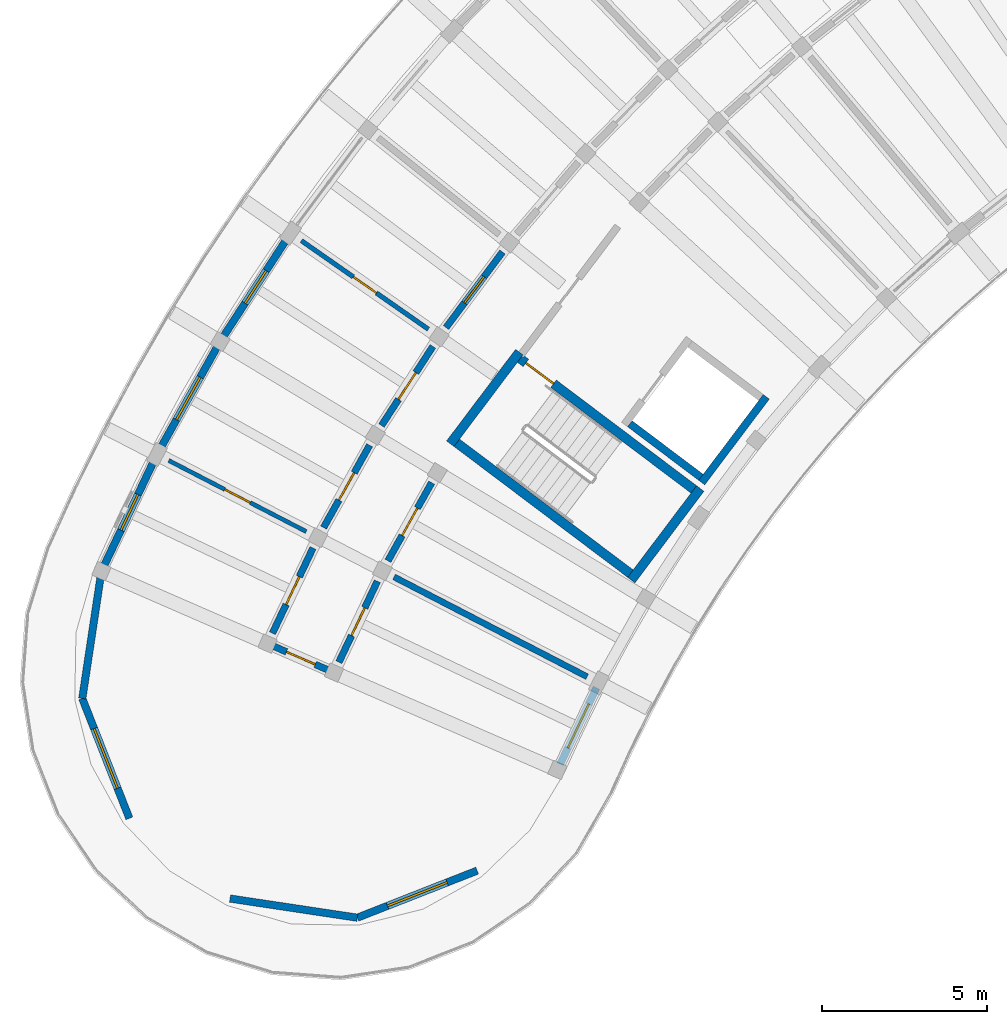
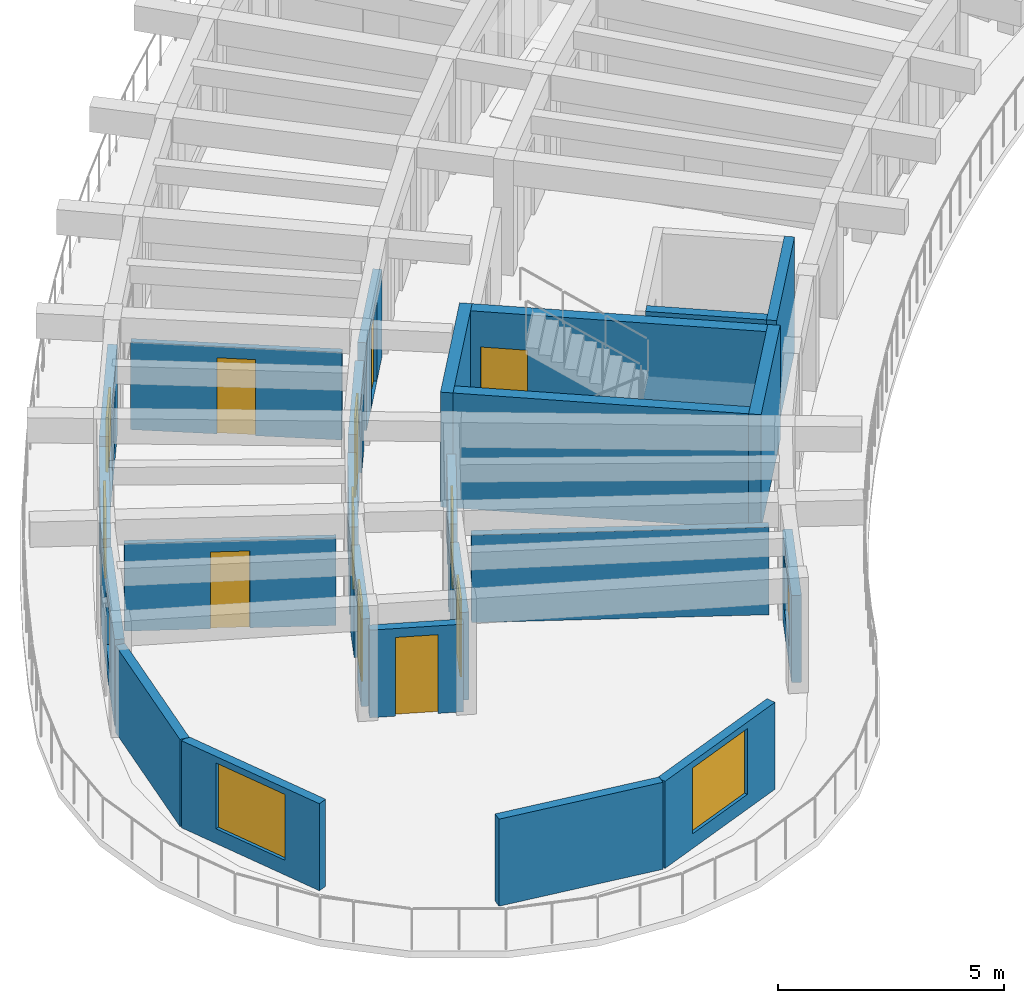
# One storey, part 18 of 32: 24 walls, 10 doors, 6 windows, 16 openings.
"""IFC4 building model written with IfcOpenShell, lengths in metres."""

from ifc_helpers import new_model, si_unit, direction, frame, frame_2d, origin, place, context, subcontext, project, spatial, rectangle, extrude, material, layer, layer_set, type_object, element, fill, save


model = new_model("IFC4")

# Units and contexts
model_context = context("Model", 3, precision=1e-05, world=origin(), true_north=direction((0.0, 1.0)))
body_context = subcontext(model_context, "Body", "Model", "MODEL_VIEW")
ifc_project = project(units=[si_unit("LENGTHUNIT", "METRE"), si_unit("AREAUNIT", "SQUARE_METRE"), si_unit("VOLUMEUNIT", "CUBIC_METRE"), si_unit("PLANEANGLEUNIT", "RADIAN"), si_unit("MASSUNIT", "GRAM", prefix="KILO")], contexts=[model_context])

# Site, building, storey
site_placement = place(None, origin())
site = spatial("IfcSite", under=ifc_project, at=site_placement, CompositionType="ELEMENT")
building_placement = place(site_placement, origin())
building = spatial("IfcBuilding", under=site, at=building_placement, Name="Tanwirah Colonnade Gardens", CompositionType="ELEMENT")
storey_placement = place(building_placement, frame((0.0, 0.0, 42.43994140625)))
storey = spatial("IfcBuildingStorey", under=building, at=storey_placement, Name="L12", CompositionType="ELEMENT", Elevation=42.43994140625)

# Wall, opening, window
ifc_material_1 = material(Name="Limestone architectural precast concrete C40/50", Category="masonry")
ifc_layer_1 = layer(ifc_material_1, 0.22509765625)
ifc_layer_set_1 = layer_set([ifc_layer_1], Name="Limestone architectural precast concrete C40/50")
wall_type_1 = type_object("IfcWallType", Name="EW-PC225", PredefinedType="SOLIDWALL", material=ifc_layer_set_1)
wall_1_placement = place(storey_placement, frame((16.0634765625, 94.12353515625, 0.0), z_axis=(0.0, 0.0, 1.0), x_axis=(-0.544610446702, -0.83868913272, 0.0)))
wall_1 = element("IfcWall", 1, at=wall_1_placement, inside=storey, type_object=wall_type_1, Name="Block A L12 OUT Precast Facade Wall 13", PredefinedType="SOLIDWALL", context=body_context, shape_type="SweptSolid", body=[
    extrude(rectangle(XDim=3.565673828125, YDim=0.22509765625, at=frame_2d((1.78271484375, 0.0))), origin(), (0.0, 0.0, 1.0), 2.35498046875),
])
opening_1_placement = place(wall_1_placement, frame((1.19287109375, 0.0, 0.550048828125)))
opening_1 = element("IfcOpeningElement", 2, at=opening_1_placement, cuts=wall_1, Name="Opening WIN-T16", PredefinedType="OPENING", context=body_context, shape_type="SweptSolid", body=[
    extrude(rectangle(XDim=1.179931640625, YDim=1.47998046875, at=frame_2d((0.58984375, 0.739990234375))), frame((0.0, 0.12255859375, 0.0), z_axis=(0.0, -1.0, 0.0), x_axis=(1.0, 0.0, 0.0)), (0.0, 0.0, 1.0), 0.2451171875),
])
ifc_material_2 = material(Name="Thermally broken bronze aluminium and solar low-E double glazing", Category="aluminium")
window_type_1 = type_object("IfcWindowType", Name="WIN-T16", PartitioningType="SINGLE_PANEL", PredefinedType="WINDOW", material=ifc_material_2)
window_1_placement = place(opening_1_placement, origin())
window_1 = element("IfcWindow", 3, at=window_1_placement, inside=storey, type_object=window_type_1, Name="Facade window A-L12-OUT-13", OverallHeight=1.47998046875, OverallWidth=1.179931640625, PartitioningType="SINGLE_PANEL", PredefinedType="WINDOW", context=body_context, shape_type="SweptSolid", body=[
    extrude(rectangle(XDim=1.179931640625, YDim=1.47998046875, at=frame_2d((0.58984375, 0.739990234375))), frame((0.0, 0.030029296875, 0.0), z_axis=(0.0, -1.0, 0.0), x_axis=(1.0, 0.0, 0.0)), (0.0, 0.0, 1.0), 0.06005859375),
])
fill(opening_1, window_1)

wall_2_placement = place(storey_placement, frame((13.920166015625, 90.79931640625, 0.0), z_axis=(0.0, 0.0, 1.0), x_axis=(-0.488221804534, -0.872719582442, 0.0)))
wall_2 = element("IfcWall", 4, at=wall_2_placement, inside=storey, type_object=wall_type_1, Name="Block A L12 OUT Precast Facade Wall 14", PredefinedType="SOLIDWALL", context=body_context, shape_type="SweptSolid", body=[
    extrude(rectangle(XDim=3.56591796875, YDim=0.22509765625, at=frame_2d((1.782958984375, 0.0))), origin(), (0.0, 0.0, 1.0), 2.35498046875),
])
opening_2_placement = place(wall_2_placement, frame((1.042724609375, 0.0, 0.550048828125)))
opening_2 = element("IfcOpeningElement", 5, at=opening_2_placement, cuts=wall_2, Name="Opening WIN-T19", PredefinedType="OPENING", context=body_context, shape_type="SweptSolid", body=[
    extrude(rectangle(XDim=1.47998046875, YDim=1.6201171875, at=frame_2d((0.739990234375, 0.81005859375))), frame((0.0, 0.12255859375, 0.0), z_axis=(0.0, -1.0, 0.0), x_axis=(1.0, 0.0, 0.0)), (0.0, 0.0, 1.0), 0.2451171875),
])
window_type_2 = type_object("IfcWindowType", Name="WIN-T19", PartitioningType="DOUBLE_PANEL_VERTICAL", PredefinedType="WINDOW", material=ifc_material_2)
window_2_placement = place(opening_2_placement, origin())
window_2 = element("IfcWindow", 6, at=window_2_placement, inside=storey, type_object=window_type_2, Name="Facade window A-L12-OUT-14", OverallHeight=1.6201171875, OverallWidth=1.47998046875, PartitioningType="SINGLE_PANEL", PredefinedType="WINDOW", context=body_context, shape_type="SweptSolid", body=[
    extrude(rectangle(XDim=1.47998046875, YDim=1.6201171875, at=frame_2d((0.739990234375, 0.81005859375))), frame((0.0, 0.030029296875, 0.0), z_axis=(0.0, -1.0, 0.0), x_axis=(1.0, 0.0, 0.0)), (0.0, 0.0, 1.0), 0.06005859375),
])
fill(opening_2, window_2)

wall_3_placement = place(storey_placement, frame((12.02783203125, 87.394287109375, 0.0), z_axis=(0.0, 0.0, 1.0), x_axis=(-0.429654487413, -0.902993367332, 0.0)))
wall_3 = element("IfcWall", 7, at=wall_3_placement, inside=storey, type_object=wall_type_1, Name="Block A L12 OUT Precast Facade Wall 15", PredefinedType="SOLIDWALL", context=body_context, shape_type="SweptSolid", body=[
    extrude(rectangle(XDim=3.565673828125, YDim=0.22509765625, at=frame_2d((1.78271484375, 0.0))), origin(), (0.0, 0.0, 1.0), 2.35498046875),
])
opening_3_placement = place(wall_3_placement, frame((1.182861328125, 0.0, 0.550048828125)))
opening_3 = element("IfcOpeningElement", 8, at=opening_3_placement, cuts=wall_3, Name="Opening WIN-U02", PredefinedType="OPENING", context=body_context, shape_type="SweptSolid", body=[
    extrude(rectangle(XDim=1.199951171875, YDim=1.510009765625, at=frame_2d((0.60009765625, 0.7548828125))), frame((0.0, 0.12255859375, 0.0), z_axis=(0.0, -1.0, 0.0), x_axis=(1.0, 0.0, 0.0)), (0.0, 0.0, 1.0), 0.2451171875),
])
window_type_3 = type_object("IfcWindowType", Name="WIN-U02", PartitioningType="DOUBLE_PANEL_VERTICAL", PredefinedType="WINDOW", material=ifc_material_2)
window_3_placement = place(opening_3_placement, origin())
window_3 = element("IfcWindow", 9, at=window_3_placement, inside=storey, type_object=window_type_3, Name="Facade window A-L12-OUT-15", OverallHeight=1.510009765625, OverallWidth=1.199951171875, PartitioningType="SINGLE_PANEL", PredefinedType="WINDOW", context=body_context, shape_type="SweptSolid", body=[
    extrude(rectangle(XDim=1.199951171875, YDim=1.510009765625, at=frame_2d((0.60009765625, 0.7548828125))), frame((0.0, 0.030029296875, 0.0), z_axis=(0.0, -1.0, 0.0), x_axis=(1.0, 0.0, 0.0)), (0.0, 0.0, 1.0), 0.06005859375),
])
fill(opening_3, window_3)

wall_4_placement = place(storey_placement, frame((25.44189453125, 80.4609375, 0.0), z_axis=(0.0, 0.0, 1.0), x_axis=(-0.429612784627, -0.90301320881, 0.0)))
wall_4 = element("IfcWall", 10, at=wall_4_placement, inside=storey, type_object=wall_type_1, Name="Block A L12 IN Precast Facade Wall 15", PredefinedType="SOLIDWALL", context=body_context, shape_type="SweptSolid", body=[
    extrude(rectangle(XDim=2.5703125, YDim=0.22509765625, at=frame_2d((1.28515625, 0.0))), origin(), (0.0, 0.0, 1.0), 2.35498046875),
])
opening_4_placement = place(wall_4_placement, frame((0.545166015625, 0.0, 0.550048828125)))
opening_4 = element("IfcOpeningElement", 11, at=opening_4_placement, cuts=wall_4, Name="Opening WIN-U09", PredefinedType="OPENING", context=body_context, shape_type="SweptSolid", body=[
    extrude(rectangle(XDim=1.47998046875, YDim=1.4599609375, at=frame_2d((0.739990234375, 0.72998046875))), frame((0.0, 0.12255859375, 0.0), z_axis=(0.0, -1.0, 0.0), x_axis=(1.0, 0.0, 0.0)), (0.0, 0.0, 1.0), 0.2451171875),
])
window_type_4 = type_object("IfcWindowType", Name="WIN-U09", PartitioningType="DOUBLE_PANEL_VERTICAL", PredefinedType="WINDOW", material=ifc_material_2)
window_4_placement = place(opening_4_placement, origin())
window_4 = element("IfcWindow", 12, at=window_4_placement, inside=storey, type_object=window_type_4, Name="Facade window A-L12-IN-15", OverallHeight=1.4599609375, OverallWidth=1.47998046875, PartitioningType="SINGLE_PANEL", PredefinedType="WINDOW", context=body_context, shape_type="SweptSolid", body=[
    extrude(rectangle(XDim=1.47998046875, YDim=1.4599609375, at=frame_2d((0.739990234375, 0.72998046875))), frame((0.0, 0.030029296875, 0.0), z_axis=(0.0, -1.0, 0.0), x_axis=(1.0, 0.0, 0.0)), (0.0, 0.0, 1.0), 0.06005859375),
])
fill(opening_4, window_4)

wall_5_placement = place(storey_placement, frame((21.818115234375, 74.90771484375, 0.0), z_axis=(0.0, 0.0, 1.0), x_axis=(-0.930784898276, -0.365567330517, 0.0)))
wall_5 = element("IfcWall", 13, at=wall_5_placement, inside=storey, type_object=wall_type_1, Name="Block A L12 END Rounded End Wall 1", PredefinedType="SOLIDWALL", context=body_context, shape_type="SweptSolid", body=[
    extrude(rectangle(XDim=3.908203125, YDim=0.22509765625, at=frame_2d((1.9541015625, 0.0))), origin(), (0.0, 0.0, 1.0), 2.35498046875),
])
opening_5_placement = place(wall_5_placement, frame((0.97900390625, 0.0, 0.39990234375)))
opening_5 = element("IfcOpeningElement", 14, at=opening_5_placement, cuts=wall_5, Name="Opening WIN-END2", PredefinedType="OPENING", context=body_context, shape_type="SweptSolid", body=[
    extrude(rectangle(XDim=1.949951171875, YDim=1.780029296875, at=frame_2d((0.97509765625, 0.89013671875))), frame((0.0, 0.12255859375, 0.0), z_axis=(0.0, -1.0, 0.0), x_axis=(1.0, 0.0, 0.0)), (0.0, 0.0, 1.0), 0.2451171875),
])
window_type_5 = type_object("IfcWindowType", Name="WIN-END2", PartitioningType="TRIPLE_PANEL_VERTICAL", PredefinedType="WINDOW", material=ifc_material_2)
window_5_placement = place(opening_5_placement, origin())
window_5 = element("IfcWindow", 15, at=window_5_placement, inside=storey, type_object=window_type_5, Name="Rounded corner window A-L12-END-1", OverallHeight=1.780029296875, OverallWidth=1.949951171875, PartitioningType="SINGLE_PANEL", PredefinedType="WINDOW", context=body_context, shape_type="SweptSolid", body=[
    extrude(rectangle(XDim=1.949951171875, YDim=1.780029296875, at=frame_2d((0.97509765625, 0.89013671875))), frame((0.0, 0.030029296875, 0.0), z_axis=(0.0, -1.0, 0.0), x_axis=(1.0, 0.0, 0.0)), (0.0, 0.0, 1.0), 0.06005859375),
])
fill(opening_5, window_5)

# Wall
wall_6_placement = place(storey_placement, frame((18.180419921875, 73.47900390625, 0.0), z_axis=(0.0, 0.0, 1.0), x_axis=(-0.988876706576, 0.148737551381, 0.0)))
element("IfcWall", 16, at=wall_6_placement, inside=storey, type_object=wall_type_1, Name="Block A L12 END Rounded End Wall 2", PredefinedType="SOLIDWALL", context=body_context, shape_type="SweptSolid", body=[
    extrude(rectangle(XDim=3.908203125, YDim=0.22509765625, at=frame_2d((1.9541015625, 0.0))), origin(), (0.0, 0.0, 1.0), 2.35498046875),
])

# Wall, opening, window
wall_7_placement = place(storey_placement, frame((11.259521484375, 76.49609375, 0.0), z_axis=(0.0, 0.0, 1.0), x_axis=(-0.365567330517, 0.930784898276, 0.0)))
wall_7 = element("IfcWall", 17, at=wall_7_placement, inside=storey, type_object=wall_type_1, Name="Block A L12 END Rounded End Wall 4", PredefinedType="SOLIDWALL", context=body_context, shape_type="SweptSolid", body=[
    extrude(rectangle(XDim=3.908203125, YDim=0.22509765625, at=frame_2d((1.9541015625, 0.0))), origin(), (0.0, 0.0, 1.0), 2.35498046875),
])
opening_6_placement = place(wall_7_placement, frame((0.97900390625, 0.0, 0.39990234375)))
opening_6 = element("IfcOpeningElement", 18, at=opening_6_placement, cuts=wall_7, Name="Opening WIN-END2", PredefinedType="OPENING", context=body_context, shape_type="SweptSolid", body=[
    extrude(rectangle(XDim=1.949951171875, YDim=1.780029296875, at=frame_2d((0.97509765625, 0.89013671875))), frame((0.0, 0.12255859375, 0.0), z_axis=(0.0, -1.0, 0.0), x_axis=(1.0, 0.0, 0.0)), (0.0, 0.0, 1.0), 0.2451171875),
])
window_6_placement = place(opening_6_placement, origin())
window_6 = element("IfcWindow", 19, at=window_6_placement, inside=storey, type_object=window_type_5, Name="Rounded corner window A-L12-END-4", OverallHeight=1.780029296875, OverallWidth=1.949951171875, PartitioningType="SINGLE_PANEL", PredefinedType="WINDOW", context=body_context, shape_type="SweptSolid", body=[
    extrude(rectangle(XDim=1.949951171875, YDim=1.780029296875, at=frame_2d((0.97509765625, 0.89013671875))), frame((0.0, 0.030029296875, 0.0), z_axis=(0.0, -1.0, 0.0), x_axis=(1.0, 0.0, 0.0)), (0.0, 0.0, 1.0), 0.06005859375),
])
fill(opening_6, window_6)

# Wall
wall_8_placement = place(storey_placement, frame((9.830810546875, 80.1337890625, 0.0), z_axis=(0.0, 0.0, 1.0), x_axis=(0.148737551381, 0.988876706576, 0.0)))
element("IfcWall", 20, at=wall_8_placement, inside=storey, type_object=wall_type_1, Name="Block A L12 END Rounded End Wall 5", PredefinedType="SOLIDWALL", context=body_context, shape_type="SweptSolid", body=[
    extrude(rectangle(XDim=3.908203125, YDim=0.22509765625, at=frame_2d((1.9541015625, 0.0))), origin(), (0.0, 0.0, 1.0), 2.35498046875),
])

# Wall, opening, door
ifc_material_3 = material(Name="Precast concrete C40/50", Category="concrete")
ifc_layer_2 = layer(ifc_material_3, 0.205078125)
ifc_layer_set_2 = layer_set([ifc_layer_2], Name="Precast concrete C40/50")
wall_type_2 = type_object("IfcWallType", Name="IW-CORR205", PredefinedType="PARTITIONING", material=ifc_layer_set_2)
wall_9_placement = place(storey_placement, frame((22.588623046875, 93.689453125, 0.0), z_axis=(0.0, 0.0, 1.0), x_axis=(-0.598757763243, -0.800930172335, 0.0)))
wall_9 = element("IfcWall", 21, at=wall_9_placement, inside=storey, type_object=wall_type_2, Name="Block A L12 OUT Corridor Wall 12", PredefinedType="PARTITIONING", context=body_context, shape_type="SweptSolid", body=[
    extrude(rectangle(XDim=2.86328125, YDim=0.205078125, at=frame_2d((1.431640625, 0.0))), origin(), (0.0, 0.0, 1.0), 2.3701171875),
])
opening_7_placement = place(wall_9_placement, frame((0.9365234375, 0.0, 0.0)))
opening_7 = element("IfcOpeningElement", 22, at=opening_7_placement, cuts=wall_9, Name="Opening L12-AD727", PredefinedType="OPENING", context=body_context, shape_type="SweptSolid", body=[
    extrude(rectangle(XDim=0.989990234375, YDim=2.159912109375, at=frame_2d((0.4951171875, 1.080078125))), frame((0.0, 0.112548828125, 0.0), z_axis=(0.0, -1.0, 0.0), x_axis=(1.0, 0.0, 0.0)), (0.0, 0.0, 1.0), 0.22509765625),
])
ifc_material_4 = material(Name="Solid oak fire-resisting apartment entrance door")
door_type_1 = type_object("IfcDoorType", Name="ID-FLT099", OperationType="NOTDEFINED", PredefinedType="DOOR", material=ifc_material_4)
door_1_placement = place(opening_7_placement, origin())
door_1 = element("IfcDoor", 23, at=door_1_placement, inside=storey, type_object=door_type_1, Name="Apartment corridor door L12-AD727", OperationType="SINGLE_SWING_LEFT", OverallHeight=2.159912109375, OverallWidth=0.989990234375, PredefinedType="DOOR", context=body_context, shape_type="SweptSolid", body=[
    extrude(rectangle(XDim=0.989990234375, YDim=2.159912109375, at=frame_2d((0.4951171875, 1.080078125))), frame((0.0, 0.02490234375, 0.0), z_axis=(0.0, -1.0, 0.0), x_axis=(1.0, 0.0, 0.0)), (0.0, 0.0, 1.0), 0.050048828125),
])
fill(opening_7, door_1)

wall_10_placement = place(storey_placement, frame((20.47412109375, 90.822265625, 0.0), z_axis=(0.0, 0.0, 1.0), x_axis=(-0.544643612649, -0.838667595178, 0.0)))
wall_10 = element("IfcWall", 24, at=wall_10_placement, inside=storey, type_object=wall_type_2, Name="Block A L12 OUT Corridor Wall 13", PredefinedType="PARTITIONING", context=body_context, shape_type="SweptSolid", body=[
    extrude(rectangle(XDim=2.863037109375, YDim=0.205078125, at=frame_2d((1.431640625, 0.0))), origin(), (0.0, 0.0, 1.0), 2.3701171875),
])
opening_8_placement = place(wall_10_placement, frame((0.946533203125, 0.0, 0.0)))
opening_8 = element("IfcOpeningElement", 25, at=opening_8_placement, cuts=wall_10, Name="Opening L12-AD729", PredefinedType="OPENING", context=body_context, shape_type="SweptSolid", body=[
    extrude(rectangle(XDim=0.969970703125, YDim=2.14990234375, at=frame_2d((0.48486328125, 1.074951171875))), frame((0.0, 0.112548828125, 0.0), z_axis=(0.0, -1.0, 0.0), x_axis=(1.0, 0.0, 0.0)), (0.0, 0.0, 1.0), 0.22509765625),
])
door_type_2 = type_object("IfcDoorType", Name="ID-FLT097", OperationType="NOTDEFINED", PredefinedType="DOOR", material=ifc_material_4)
door_2_placement = place(opening_8_placement, origin())
door_2 = element("IfcDoor", 26, at=door_2_placement, inside=storey, type_object=door_type_2, Name="Apartment corridor door L12-AD729", OperationType="SINGLE_SWING_RIGHT", OverallHeight=2.14990234375, OverallWidth=0.969970703125, PredefinedType="DOOR", context=body_context, shape_type="SweptSolid", body=[
    extrude(rectangle(XDim=0.969970703125, YDim=2.14990234375, at=frame_2d((0.48486328125, 1.074951171875))), frame((0.0, 0.02490234375, 0.0), z_axis=(0.0, -1.0, 0.0), x_axis=(1.0, 0.0, 0.0)), (0.0, 0.0, 1.0), 0.050048828125),
])
fill(opening_8, door_2)

wall_11_placement = place(storey_placement, frame((18.55322265625, 87.822021484375, 0.0), z_axis=(0.0, 0.0, 1.0), x_axis=(-0.488211211273, -0.872725508501, 0.0)))
wall_11 = element("IfcWall", 27, at=wall_11_placement, inside=storey, type_object=wall_type_2, Name="Block A L12 OUT Corridor Wall 14", PredefinedType="PARTITIONING", context=body_context, shape_type="SweptSolid", body=[
    extrude(rectangle(XDim=2.86279296875, YDim=0.205078125, at=frame_2d((1.431396484375, 0.0))), origin(), (0.0, 0.0, 1.0), 2.3701171875),
])
opening_9_placement = place(wall_11_placement, frame((0.95654296875, 0.0, 0.0)))
opening_9 = element("IfcOpeningElement", 28, at=opening_9_placement, cuts=wall_11, Name="Opening L12-AD730", PredefinedType="OPENING", context=body_context, shape_type="SweptSolid", body=[
    extrude(rectangle(XDim=0.949951171875, YDim=2.1298828125, at=frame_2d((0.47509765625, 1.06494140625))), frame((0.0, 0.112548828125, 0.0), z_axis=(0.0, -1.0, 0.0), x_axis=(1.0, 0.0, 0.0)), (0.0, 0.0, 1.0), 0.22509765625),
])
door_type_3 = type_object("IfcDoorType", Name="ID-FLT095", OperationType="NOTDEFINED", PredefinedType="DOOR", material=ifc_material_4)
door_3_placement = place(opening_9_placement, origin())
door_3 = element("IfcDoor", 29, at=door_3_placement, inside=storey, type_object=door_type_3, Name="Apartment corridor door L12-AD730", OperationType="SINGLE_SWING_LEFT", OverallHeight=2.1298828125, OverallWidth=0.949951171875, PredefinedType="DOOR", context=body_context, shape_type="SweptSolid", body=[
    extrude(rectangle(XDim=0.949951171875, YDim=2.1298828125, at=frame_2d((0.47509765625, 1.06494140625))), frame((0.0, 0.02490234375, 0.0), z_axis=(0.0, -1.0, 0.0), x_axis=(1.0, 0.0, 0.0)), (0.0, 0.0, 1.0), 0.050048828125),
])
fill(opening_9, door_3)

wall_12_placement = place(storey_placement, frame((20.436767578125, 86.685302734375, 0.0), z_axis=(0.0, 0.0, 1.0), x_axis=(-0.48819576874, -0.872734147025, 0.0)))
wall_12 = element("IfcWall", 30, at=wall_12_placement, inside=storey, type_object=wall_type_2, Name="Block A L12 IN Corridor Wall 14", PredefinedType="PARTITIONING", context=body_context, shape_type="SweptSolid", body=[
    extrude(rectangle(XDim=2.718017578125, YDim=0.205078125, at=frame_2d((1.35888671875, 0.0))), origin(), (0.0, 0.0, 1.0), 2.3701171875),
])
opening_10_placement = place(wall_12_placement, frame((0.884033203125, 0.0, 0.0)))
opening_10 = element("IfcOpeningElement", 31, at=opening_10_placement, cuts=wall_12, Name="Opening L12-AD731", PredefinedType="OPENING", context=body_context, shape_type="SweptSolid", body=[
    extrude(rectangle(XDim=0.949951171875, YDim=2.1298828125, at=frame_2d((0.47509765625, 1.06494140625))), frame((0.0, 0.112548828125, 0.0), z_axis=(0.0, -1.0, 0.0), x_axis=(1.0, 0.0, 0.0)), (0.0, 0.0, 1.0), 0.22509765625),
])
door_4_placement = place(opening_10_placement, origin())
door_4 = element("IfcDoor", 32, at=door_4_placement, inside=storey, type_object=door_type_3, Name="Apartment corridor door L12-AD731", OperationType="SINGLE_SWING_RIGHT", OverallHeight=2.1298828125, OverallWidth=0.949951171875, PredefinedType="DOOR", context=body_context, shape_type="SweptSolid", body=[
    extrude(rectangle(XDim=0.949951171875, YDim=2.1298828125, at=frame_2d((0.47509765625, 1.06494140625))), frame((0.0, 0.02490234375, 0.0), z_axis=(0.0, -1.0, 0.0), x_axis=(1.0, 0.0, 0.0)), (0.0, 0.0, 1.0), 0.050048828125),
])
fill(opening_10, door_4)

wall_13_placement = place(storey_placement, frame((16.834228515625, 84.701904296875, 0.0), z_axis=(0.0, 0.0, 1.0), x_axis=(-0.429595933416, -0.90302122566, 0.0)))
wall_13 = element("IfcWall", 33, at=wall_13_placement, inside=storey, type_object=wall_type_2, Name="Block A L12 OUT Corridor Wall 15", PredefinedType="PARTITIONING", context=body_context, shape_type="SweptSolid", body=[
    extrude(rectangle(XDim=2.863037109375, YDim=0.205078125, at=frame_2d((1.431640625, 0.0))), origin(), (0.0, 0.0, 1.0), 2.3701171875),
])
opening_11_placement = place(wall_13_placement, frame((0.966552734375, 0.0, 0.0)))
opening_11 = element("IfcOpeningElement", 34, at=opening_11_placement, cuts=wall_13, Name="Opening L12-AD733", PredefinedType="OPENING", context=body_context, shape_type="SweptSolid", body=[
    extrude(rectangle(XDim=0.929931640625, YDim=2.1201171875, at=frame_2d((0.46484375, 1.06005859375))), frame((0.0, 0.112548828125, 0.0), z_axis=(0.0, -1.0, 0.0), x_axis=(1.0, 0.0, 0.0)), (0.0, 0.0, 1.0), 0.22509765625),
])
door_type_4 = type_object("IfcDoorType", Name="ID-FLT093", OperationType="NOTDEFINED", PredefinedType="DOOR", material=ifc_material_4)
door_5_placement = place(opening_11_placement, origin())
door_5 = element("IfcDoor", 35, at=door_5_placement, inside=storey, type_object=door_type_4, Name="Apartment corridor door L12-AD733", OperationType="SINGLE_SWING_RIGHT", OverallHeight=2.1201171875, OverallWidth=0.929931640625, PredefinedType="DOOR", context=body_context, shape_type="SweptSolid", body=[
    extrude(rectangle(XDim=0.929931640625, YDim=2.1201171875, at=frame_2d((0.46484375, 1.06005859375))), frame((0.0, 0.02490234375, 0.0), z_axis=(0.0, -1.0, 0.0), x_axis=(1.0, 0.0, 0.0)), (0.0, 0.0, 1.0), 0.050048828125),
])
fill(opening_11, door_5)

wall_14_placement = place(storey_placement, frame((18.78857421875, 83.691650390625, 0.0), z_axis=(0.0, 0.0, 1.0), x_axis=(-0.429630211913, -0.90300491749, 0.0)))
wall_14 = element("IfcWall", 36, at=wall_14_placement, inside=storey, type_object=wall_type_2, Name="Block A L12 IN Corridor Wall 15", PredefinedType="PARTITIONING", context=body_context, shape_type="SweptSolid", body=[
    extrude(rectangle(XDim=2.718017578125, YDim=0.205078125, at=frame_2d((1.35888671875, 0.0))), origin(), (0.0, 0.0, 1.0), 2.3701171875),
])
opening_12_placement = place(wall_14_placement, frame((0.89404296875, 0.0, 0.0)))
opening_12 = element("IfcOpeningElement", 37, at=opening_12_placement, cuts=wall_14, Name="Opening L12-AD734", PredefinedType="OPENING", context=body_context, shape_type="SweptSolid", body=[
    extrude(rectangle(XDim=0.929931640625, YDim=2.1201171875, at=frame_2d((0.46484375, 1.06005859375))), frame((0.0, 0.112548828125, 0.0), z_axis=(0.0, -1.0, 0.0), x_axis=(1.0, 0.0, 0.0)), (0.0, 0.0, 1.0), 0.22509765625),
])
door_6_placement = place(opening_12_placement, origin())
door_6 = element("IfcDoor", 38, at=door_6_placement, inside=storey, type_object=door_type_4, Name="Apartment corridor door L12-AD734", OperationType="SINGLE_SWING_LEFT", OverallHeight=2.1201171875, OverallWidth=0.929931640625, PredefinedType="DOOR", context=body_context, shape_type="SweptSolid", body=[
    extrude(rectangle(XDim=0.929931640625, YDim=2.1201171875, at=frame_2d((0.46484375, 1.06005859375))), frame((0.0, 0.02490234375, 0.0), z_axis=(0.0, -1.0, 0.0), x_axis=(1.0, 0.0, 0.0)), (0.0, 0.0, 1.0), 0.050048828125),
])
fill(opening_12, door_6)

wall_15_placement = place(storey_placement, frame((17.424560546875, 80.941162109375, 0.0), z_axis=(0.0, 0.0, 1.0), x_axis=(-0.916636986934, 0.399720695216, 0.0)))
wall_15 = element("IfcWall", 39, at=wall_15_placement, inside=storey, type_object=wall_type_2, Name="Block A L12 CE Corner Suite Corridor Wall", PredefinedType="PARTITIONING", context=body_context, shape_type="SweptSolid", body=[
    extrude(rectangle(XDim=2.099853515625, YDim=0.205078125, at=frame_2d((1.0498046875, 0.0))), origin(), (0.0, 0.0, 1.0), 2.3701171875),
])
opening_13_placement = place(wall_15_placement, frame((0.570068359375, 0.0, 0.0)))
opening_13 = element("IfcOpeningElement", 40, at=opening_13_placement, cuts=wall_15, Name="Opening L12-CD736", PredefinedType="OPENING", context=body_context, shape_type="SweptSolid", body=[
    extrude(rectangle(XDim=0.949951171875, YDim=2.1298828125, at=frame_2d((0.47509765625, 1.06494140625))), frame((0.0, 0.112548828125, 0.0), z_axis=(0.0, -1.0, 0.0), x_axis=(1.0, 0.0, 0.0)), (0.0, 0.0, 1.0), 0.22509765625),
])
door_7_placement = place(opening_13_placement, origin())
door_7 = element("IfcDoor", 41, at=door_7_placement, inside=storey, type_object=door_type_3, Name="Corner suite entrance door L12-CD736", OperationType="SINGLE_SWING_RIGHT", OverallHeight=2.1298828125, OverallWidth=0.949951171875, PredefinedType="DOOR", context=body_context, shape_type="SweptSolid", body=[
    extrude(rectangle(XDim=0.949951171875, YDim=2.1298828125, at=frame_2d((0.47509765625, 1.06494140625))), frame((0.0, 0.02490234375, 0.0), z_axis=(0.0, -1.0, 0.0), x_axis=(1.0, 0.0, 0.0)), (0.0, 0.0, 1.0), 0.050048828125),
])
fill(opening_13, door_7)

# Wall
ifc_layer_3 = layer(ifc_material_3, 0.18505859375)
ifc_layer_set_3 = layer_set([ifc_layer_3], Name="Precast concrete C40/50")
wall_type_3 = type_object("IfcWallType", Name="IW-DEM185", PredefinedType="PARTITIONING", material=ifc_layer_set_3)
wall_16_placement = place(storey_placement, frame((25.157470703125, 80.793701171875, 0.0), z_axis=(0.0, 0.0, 1.0), x_axis=(-0.888346696024, 0.459173330741, 0.0)))
element("IfcWall", 42, at=wall_16_placement, inside=storey, type_object=wall_type_3, Name="Block A L12 Inner Radial Partition 14", PredefinedType="PARTITIONING", context=body_context, shape_type="SweptSolid", body=[
    extrude(rectangle(XDim=6.599853515625, YDim=0.18505859375, at=frame_2d((3.2998046875, 0.0))), origin(), (0.0, 0.0, 1.0), 2.3701171875),
])

# Wall, opening, door
ifc_material_5 = material(Name="Moisture-resistant gypsum stud partition")
ifc_layer_4 = layer(ifc_material_5, 0.125)
ifc_layer_set_4 = layer_set([ifc_layer_4], Name="Moisture-resistant gypsum stud partition")
wall_type_4 = type_object("IfcWallType", Name="IW-INT125", PredefinedType="PARTITIONING", material=ifc_layer_set_4)
wall_17_placement = place(storey_placement, frame((16.62939453125, 85.20166015625, 0.0), z_axis=(0.0, 0.0, 1.0), x_axis=(-0.88836305433, 0.459141681512, 0.0)))
wall_17 = element("IfcWall", 43, at=wall_17_placement, inside=storey, type_object=wall_type_4, Name="Block A L12 Radial Partition 14", PredefinedType="PARTITIONING", context=body_context, shape_type="SweptSolid", body=[
    extrude(rectangle(XDim=4.699951171875, YDim=0.125, at=frame_2d((2.35009765625, 0.0))), origin(), (0.0, 0.0, 1.0), 2.3701171875),
])
opening_14_placement = place(wall_17_placement, frame((1.9150390625, 0.0, 0.0)))
opening_14 = element("IfcOpeningElement", 44, at=opening_14_placement, cuts=wall_17, Name="Opening L12-RD732", PredefinedType="OPENING", context=body_context, shape_type="SweptSolid", body=[
    extrude(rectangle(XDim=0.8701171875, YDim=2.080078125, at=frame_2d((0.43505859375, 1.0400390625))), frame((0.0, 0.072509765625, 0.0), z_axis=(0.0, -1.0, 0.0), x_axis=(1.0, 0.0, 0.0)), (0.0, 0.0, 1.0), 0.14501953125),
])
ifc_material_6 = material(Name="Painted hardwood study door", Category="wood")
door_type_5 = type_object("IfcDoorType", Name="ID-RM087", OperationType="NOTDEFINED", PredefinedType="DOOR", material=ifc_material_6)
door_8_placement = place(opening_14_placement, origin())
door_8 = element("IfcDoor", 45, at=door_8_placement, inside=storey, type_object=door_type_5, Name="Internal apartment door L12-RD732", OperationType="SINGLE_SWING_LEFT", OverallHeight=2.080078125, OverallWidth=0.8701171875, PredefinedType="DOOR", context=body_context, shape_type="SweptSolid", body=[
    extrude(rectangle(XDim=0.8701171875, YDim=2.080078125, at=frame_2d((0.43505859375, 1.0400390625))), frame((0.0, 0.02490234375, 0.0), z_axis=(0.0, -1.0, 0.0), x_axis=(1.0, 0.0, 0.0)), (0.0, 0.0, 1.0), 0.050048828125),
])
fill(opening_14, door_8)

ifc_material_7 = material(Name="Water-resistant acoustic plumbing partition")
ifc_layer_5 = layer(ifc_material_7, 0.139892578125)
ifc_layer_set_5 = layer_set([ifc_layer_5], Name="Water-resistant acoustic plumbing partition")
wall_type_5 = type_object("IfcWallType", Name="IW-WET140", PredefinedType="PLUMBINGWALL", material=ifc_layer_set_5)
wall_18_placement = place(storey_placement, frame((20.336669921875, 91.3447265625, 0.0), z_axis=(0.0, 0.0, 1.0), x_axis=(-0.820272617205, 0.571972755876, 0.0)))
wall_18 = element("IfcWall", 46, at=wall_18_placement, inside=storey, type_object=wall_type_5, Name="Block A L12 Radial Partition 12", PredefinedType="PLUMBINGWALL", context=body_context, shape_type="SweptSolid", body=[
    extrude(rectangle(XDim=4.699951171875, YDim=0.139892578125, at=frame_2d((2.35009765625, 0.0))), origin(), (0.0, 0.0, 1.0), 2.3701171875),
])
opening_15_placement = place(wall_18_placement, frame((1.919921875, 0.0, 0.0)))
opening_15 = element("IfcOpeningElement", 47, at=opening_15_placement, cuts=wall_18, Name="Opening L12-RD728", PredefinedType="OPENING", context=body_context, shape_type="SweptSolid", body=[
    extrude(rectangle(XDim=0.860107421875, YDim=2.06005859375, at=frame_2d((0.43017578125, 1.030029296875))), frame((0.0, 0.079833984375, 0.0), z_axis=(0.0, -1.0, 0.0), x_axis=(1.0, 0.0, 0.0)), (0.0, 0.0, 1.0), 0.159912109375),
])
ifc_material_8 = material(Name="Moisture-resistant bathroom door")
door_type_6 = type_object("IfcDoorType", Name="ID-WET086", OperationType="NOTDEFINED", PredefinedType="DOOR", material=ifc_material_8)
door_9_placement = place(opening_15_placement, origin())
door_9 = element("IfcDoor", 48, at=door_9_placement, inside=storey, type_object=door_type_6, Name="Internal apartment door L12-RD728", OperationType="SINGLE_SWING_LEFT", OverallHeight=2.06005859375, OverallWidth=0.860107421875, PredefinedType="DOOR", context=body_context, shape_type="SweptSolid", body=[
    extrude(rectangle(XDim=0.860107421875, YDim=2.06005859375, at=frame_2d((0.43017578125, 1.030029296875))), frame((0.0, 0.02490234375, 0.0), z_axis=(0.0, -1.0, 0.0), x_axis=(1.0, 0.0, 0.0)), (0.0, 0.0, 1.0), 0.050048828125),
])
fill(opening_15, door_9)

# Walls
ifc_material_9 = material(Name="Concrete C45/55", Category="concrete")
ifc_layer_6 = layer(ifc_material_9, 0.280029296875)
ifc_layer_set_6 = layer_set([ifc_layer_6], Name="Concrete C45/55")
wall_type_6 = type_object("IfcWallType", Name="SW-CORE280", PredefinedType="SHEAR", material=ifc_layer_set_6)
wall_19_placement = place(storey_placement, frame((21.19873046875, 87.8974609375, 0.0), z_axis=(0.0, 0.0, 1.0), x_axis=(0.798639633744, -0.601809550782, 0.0)))
element("IfcWall", 49, at=wall_19_placement, inside=storey, type_object=wall_type_6, Name="CORE-A2 L12 Stair Shaft Shear Wall LEFT", PredefinedType="SHEAR", context=body_context, shape_type="SweptSolid", body=[
    extrude(rectangle(XDim=6.599853515625, YDim=0.280029296875, at=frame_2d((3.2998046875, 0.0))), origin(), (0.0, 0.0, 1.0), 3.110107421875),
])
for number, where, z_axis, x_axis, name in (
    (50, (26.497314453125, 83.7294921875, 0.0), (0.0, 0.0, 1.0), (0.601794470585, 0.798650997102, 0.0), "CORE-A2 L12 Stair Shaft Shear Wall FAR"),
    (51, (21.002685546875, 87.869873046875, 0.0), (0.0, 0.0, 1.0), (0.601794470585, 0.798650997102, 0.0), "CORE-A2 L12 Stair Shaft Shear Wall NEAR"),
):
    element("IfcWall", number, at=place(storey_placement, frame(where, z_axis=z_axis, x_axis=x_axis)), inside=storey, type_object=wall_type_6, Name=name, PredefinedType="SHEAR", context=body_context, shape_type="SweptSolid", body=[
        extrude(rectangle(XDim=3.47998046875, YDim=0.280029296875, at=frame_2d((1.739990234375, 0.0))), origin(), (0.0, 0.0, 1.0), 3.110107421875),
    ])

# Wall, opening, door
wall_20_placement = place(storey_placement, frame((23.12451171875, 90.453125, 0.0), z_axis=(0.0, 0.0, 1.0), x_axis=(0.798639633744, -0.601809550782, 0.0)))
wall_20 = element("IfcWall", 52, at=wall_20_placement, inside=storey, type_object=wall_type_6, Name="CORE-A2 L12 Stair Shaft Shear Wall RIGHT", PredefinedType="SHEAR", context=body_context, shape_type="SweptSolid", body=[
    extrude(rectangle(XDim=6.599853515625, YDim=0.280029296875, at=frame_2d((3.2998046875, 0.0))), origin(), (0.0, 0.0, 1.0), 3.110107421875),
])
opening_16_placement = place(wall_20_placement, frame((0.219970703125, 0.0, 0.0)))
opening_16 = element("IfcOpeningElement", 53, at=opening_16_placement, cuts=wall_20, Name="Opening L12-SD046", PredefinedType="OPENING", context=body_context, shape_type="SweptSolid", body=[
    extrude(rectangle(XDim=1.050048828125, YDim=2.14990234375, at=frame_2d((0.52490234375, 1.074951171875))), frame((0.0, 0.14990234375, 0.0), z_axis=(0.0, -1.0, 0.0), x_axis=(1.0, 0.0, 0.0)), (0.0, 0.0, 1.0), 0.300048828125),
])
ifc_material_10 = material(Name="Steel fire-resisting stair enclosure door", Category="steel")
door_type_7 = type_object("IfcDoorType", Name="ID-ST105", OperationType="NOTDEFINED", PredefinedType="DOOR", material=ifc_material_10)
door_10_placement = place(opening_16_placement, origin())
door_10 = element("IfcDoor", 54, at=door_10_placement, inside=storey, type_object=door_type_7, Name="CORE-A2 L12 Stair Fire Door L12-SD046", OperationType="SINGLE_SWING_LEFT", OverallHeight=2.14990234375, OverallWidth=1.050048828125, PredefinedType="DOOR", context=body_context, shape_type="SweptSolid", body=[
    extrude(rectangle(XDim=1.050048828125, YDim=2.14990234375, at=frame_2d((0.52490234375, 1.074951171875))), frame((0.0, 0.02490234375, 0.0), z_axis=(0.0, -1.0, 0.0), x_axis=(1.0, 0.0, 0.0)), (0.0, 0.0, 1.0), 0.050048828125),
])
fill(opening_16, door_10)

# Walls
ifc_layer_7 = layer(ifc_material_9, 0.22998046875)
ifc_layer_set_7 = layer_set([ifc_layer_7], Name="Concrete C45/55")
wall_type_7 = type_object("IfcWallType", Name="SW-LIFT230", PredefinedType="SHEAR", material=ifc_layer_set_7)
wall_21_placement = place(storey_placement, frame((28.634033203125, 86.689697265625, 0.0), z_axis=(0.0, 0.0, 1.0), x_axis=(0.601819781152, 0.798631924615, 0.0)))
element("IfcWall", 55, at=wall_21_placement, inside=storey, type_object=wall_type_7, Name="CORE-A2 L12 Lift Shaft Wall BACK", PredefinedType="SHEAR", context=body_context, shape_type="SweptSolid", body=[
    extrude(rectangle(XDim=3.260009765625, YDim=0.22998046875, at=frame_2d((1.6298828125, 0.0))), origin(), (0.0, 0.0, 1.0), 3.110107421875),
])
wall_22_placement = place(storey_placement, frame((26.455078125, 88.4755859375, 0.0), z_axis=(0.0, 0.0, 1.0), x_axis=(0.798608971494, -0.601850239387, 0.0)))
element("IfcWall", 56, at=wall_22_placement, inside=storey, type_object=wall_type_7, Name="CORE-A2 L12 Lift Shaft Wall SIDEA", PredefinedType="SHEAR", context=body_context, shape_type="SweptSolid", body=[
    extrude(rectangle(XDim=2.699951171875, YDim=0.22998046875, at=frame_2d((1.35009765625, 0.0))), origin(), (0.0, 0.0, 1.0), 3.110107421875),
])

save(model, "model.ifc")
